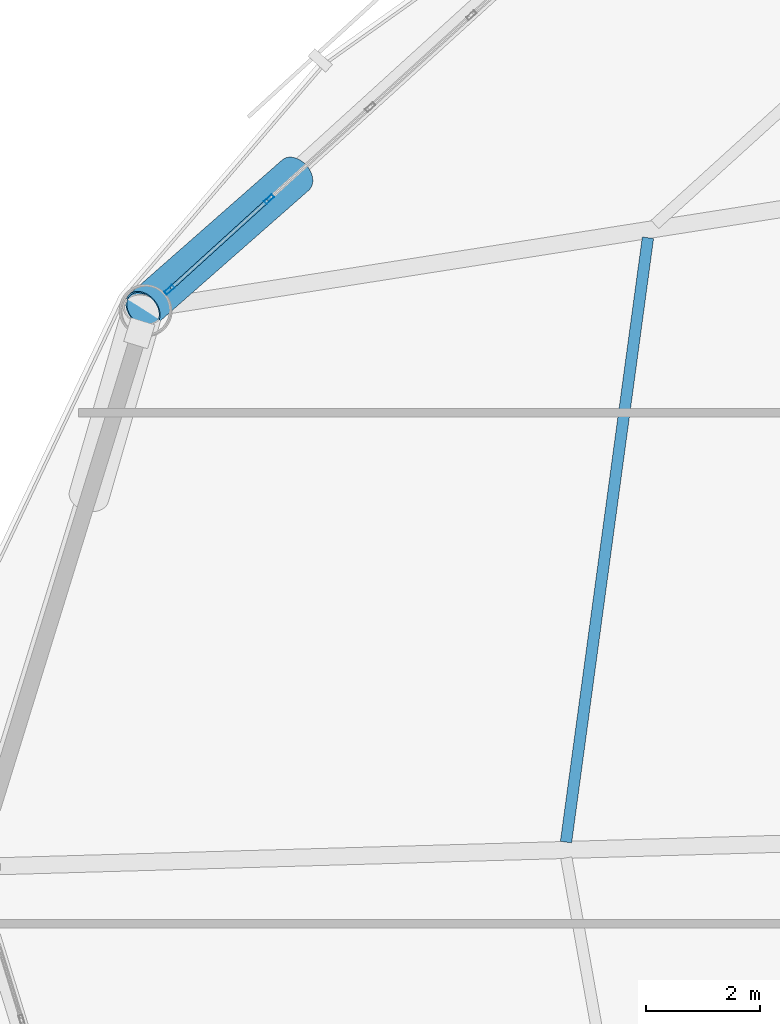
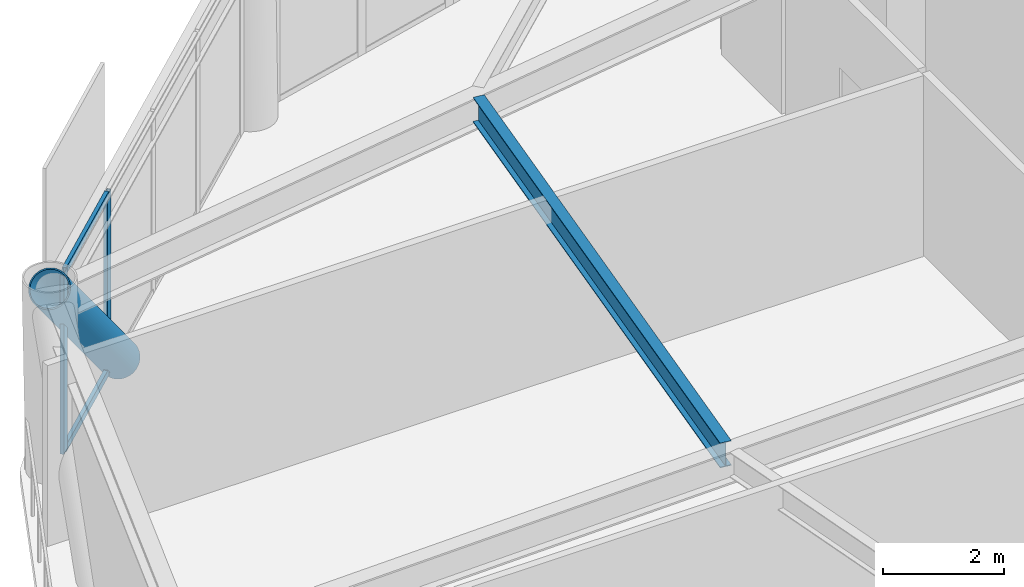
# One storey, part 10 of 25: 5 members, 1 beam, 1 element without a shape of its own.
"""IFC4 building model written with IfcOpenShell, lengths in metres."""

from ifc_helpers import new_model, si_unit, direction, frame, origin, origin_2d, place, context, subcontext, project, spatial, hollow_rectangle, hollow_circle, i_section, extrude, material, layer, layer_set, material_profile, profile_set, type_object, element, aggregate, save


model = new_model("IFC4")

# Units and contexts
model_context = context("Model", 3, precision=1e-05, world=origin(), true_north=direction((0.0, 1.0)))
body_context = subcontext(model_context, "Body", "Model", "MODEL_VIEW")
ifc_project = project(units=[si_unit("LENGTHUNIT", "METRE"), si_unit("AREAUNIT", "SQUARE_METRE"), si_unit("VOLUMEUNIT", "CUBIC_METRE"), si_unit("PLANEANGLEUNIT", "RADIAN"), si_unit("MASSUNIT", "GRAM", prefix="KILO")], contexts=[model_context])

# Site, building, storey
site_placement = place(None, origin())
site = spatial("IfcSite", under=ifc_project, at=site_placement, CompositionType="ELEMENT")
building_placement = place(site_placement, origin())
building = spatial("IfcBuilding", under=site, at=building_placement, Name="Varnakorn Sky Granary", CompositionType="ELEMENT")
storey_placement = place(building_placement, frame((0.0, 0.0, 70.5)))
storey = spatial("IfcBuildingStorey", under=building, at=storey_placement, Name="L17", CompositionType="ELEMENT", Elevation=70.5)

# Beam
ifc_material_1 = material(Name="Steel S355JR", Category="steel")
ifc_material_profile_1 = material_profile(ifc_material_1, i_section(OverallWidth=0.199951171875, OverallDepth=0.5, WebThickness=0.01025390625, FlangeThickness=0.01611328125, at=origin_2d()), Name="IPE 500")
ifc_profile_set_1 = profile_set([ifc_material_profile_1], Name="Steel S355JR")
beam_type = type_object("IfcBeamType", Name="BM-SEC-Z1", PredefinedType="BEAM", material=ifc_profile_set_1)
beam_placement = place(storey_placement, frame((-11.332763671875, 11.08447265625, 3.389892578125), z_axis=(-0.134357621184, -0.990932908743, 0.0), x_axis=(0.990932908743, -0.134357621184, 0.0)))
element("IfcBeam", 1, at=beam_placement, inside=storey, type_object=beam_type, Name="Secondary Floor Chord Beam MSB06 L17", PredefinedType="BEAM", context=body_context, shape_type="SweptSolid", body=[
    extrude(i_section(OverallWidth=0.199951171875, OverallDepth=0.5, WebThickness=0.01025390625, FlangeThickness=0.01611328125, at=origin_2d()), origin(), (0.0, 0.0, 1.0), 10.74267578125),
])

# Curtain wall, members
ifc_material_2 = material(Name="Anodised Bronze Aluminium Alloy 6063-T6", Category="aluminium")
ifc_layer = layer(ifc_material_2, 0.18994140625, Name="Anodised Bronze Aluminium Alloy 6063-T6")
ifc_layer_set = layer_set([ifc_layer], Name="Anodised Bronze Aluminium Alloy 6063-T6")
curtain_wall_type = type_object("IfcCurtainWallType", Name="CW-FRM-1", PredefinedType="USERDEFINED", material=ifc_layer_set)
curtain_wall_placement = place(storey_placement, origin())
curtain_wall = element("IfcCurtainWall", 2, at=curtain_wall_placement, inside=storey, type_object=curtain_wall_type, Name="Unitised Curtain Wall CW3 CW-L17-B05", ObjectType="CURTAIN WALL", PredefinedType="USERDEFINED")
ifc_material_profile_2 = material_profile(ifc_material_2, hollow_rectangle(XDim=0.070068359375, YDim=0.18505859375, WallThickness=0.00390625, at=origin_2d()), Name="ALU MULL 70x185")
ifc_profile_set_2 = profile_set([ifc_material_profile_2], Name="Anodised Bronze Aluminium Alloy 6063-T6")
member_type_1 = type_object("IfcMemberType", Name="CW-FRM-1-MULL", PredefinedType="MULLION", material=ifc_profile_set_2)
member_1_placement = place(storey_placement, frame((-19.76220703125, 10.168212890625, 0.0), z_axis=(0.0, 0.0, 1.0), x_axis=(-0.672582331683, 0.740022301764, 0.0)))
member_1 = element("IfcMember", 3, at=member_1_placement, type_object=member_type_1, Name="CW3 mullion 1", PredefinedType="MULLION", context=body_context, shape_type="SweptSolid", body=[
    extrude(hollow_rectangle(XDim=0.070068359375, YDim=0.18505859375, WallThickness=0.00390625, at=origin_2d()), origin(), (0.0, 0.0, 1.0), 3.639892578125),
])
member_2_placement = place(storey_placement, frame((-18.006591796875, 11.763916015625, 0.0), z_axis=(0.0, 0.0, 1.0), x_axis=(-0.672582331683, 0.740022301764, 0.0)))
member_2 = element("IfcMember", 4, at=member_2_placement, type_object=member_type_1, Name="CW3 mullion 2", PredefinedType="MULLION", context=body_context, shape_type="SweptSolid", body=[
    extrude(hollow_rectangle(XDim=0.070068359375, YDim=0.18505859375, WallThickness=0.00390625, at=origin_2d()), origin(), (0.0, 0.0, 1.0), 3.639892578125),
])
ifc_material_profile_3 = material_profile(ifc_material_2, hollow_rectangle(XDim=0.070068359375, YDim=0.139892578125, WallThickness=0.00341796875, at=origin_2d()), Name="ALU TRAN 70x140")
ifc_profile_set_3 = profile_set([ifc_material_profile_3], Name="Anodised Bronze Aluminium Alloy 6063-T6")
member_type_2 = type_object("IfcMemberType", Name="CW-FRM-1-TRAN", PredefinedType="USERDEFINED", material=ifc_profile_set_3)
member_3_placement = place(storey_placement, frame((-19.736083984375, 10.19189453125, 0.034912109375), z_axis=(0.740026443975, 0.672577774103, 0.0), x_axis=(-0.672577774103, 0.740026443975, 0.0)))
member_3 = element("IfcMember", 5, at=member_3_placement, type_object=member_type_2, Name="CW3 transom 1.1", ObjectType="TRANSOM", PredefinedType="USERDEFINED", context=body_context, shape_type="SweptSolid", body=[
    extrude(hollow_rectangle(XDim=0.070068359375, YDim=0.139892578125, WallThickness=0.00341796875, at=origin_2d()), origin(), (0.0, 0.0, 1.0), 2.302001953125),
])
member_4_placement = place(storey_placement, frame((-19.736083984375, 10.19189453125, 3.60498046875), z_axis=(0.740026443975, 0.672577774103, 0.0), x_axis=(-0.672577774103, 0.740026443975, 0.0)))
member_4 = element("IfcMember", 6, at=member_4_placement, type_object=member_type_2, Name="CW3 transom 1.2", ObjectType="TRANSOM", PredefinedType="USERDEFINED", context=body_context, shape_type="SweptSolid", body=[
    extrude(hollow_rectangle(XDim=0.070068359375, YDim=0.139892578125, WallThickness=0.00341796875, at=origin_2d()), origin(), (0.0, 0.0, 1.0), 2.302001953125),
])
aggregate(curtain_wall, [member_1, member_2, member_3, member_4])

# Member
ifc_material_3 = material(Name="Steel S460M", Category="steel")
ifc_material_profile_4 = material_profile(ifc_material_3, hollow_circle(Radius=0.35546875, WallThickness=0.02490234375, at=origin_2d()), Name="CHS 711x25")
ifc_profile_set_4 = profile_set([ifc_material_profile_4], Name="Steel S460M")
member_type_3 = type_object("IfcMemberType", Name="MB-DIAG-T0", PredefinedType="BRACE", material=ifc_profile_set_4)
member_5_placement = place(storey_placement, frame((-17.540283203125, 12.1875, -0.1298828125), z_axis=(-0.517213716448, -0.454763036205, 0.725038311001), x_axis=(0.660312762836, -0.750990715812, 0.0)))
element("IfcMember", 7, at=member_5_placement, inside=storey, type_object=member_type_3, Name="Perimeter CHS Diagrid Brace DG05 L17", PredefinedType="BRACE", context=body_context, shape_type="SweptSolid", body=[
    extrude(hollow_circle(Radius=0.35546875, WallThickness=0.02490234375, at=origin_2d()), origin(), (0.0, 0.0, 1.0), 5.199462890625),
])

save(model, "model.ifc")
